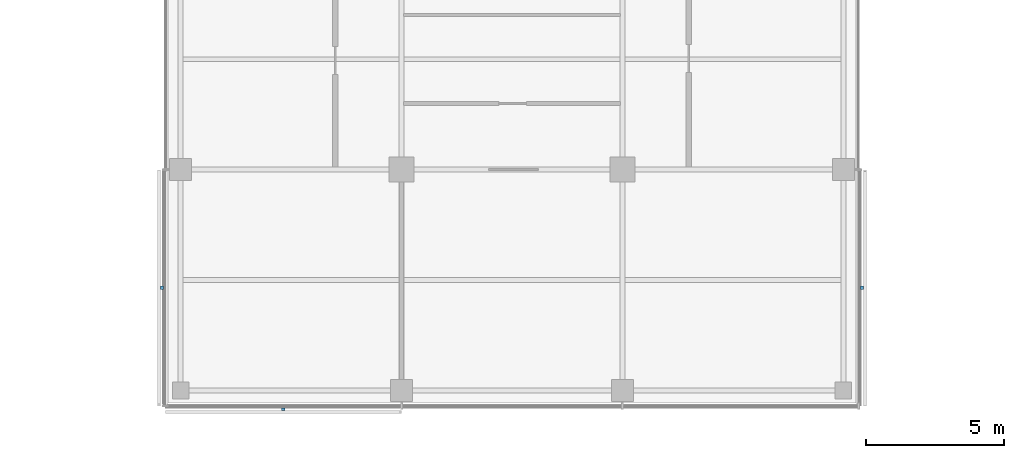
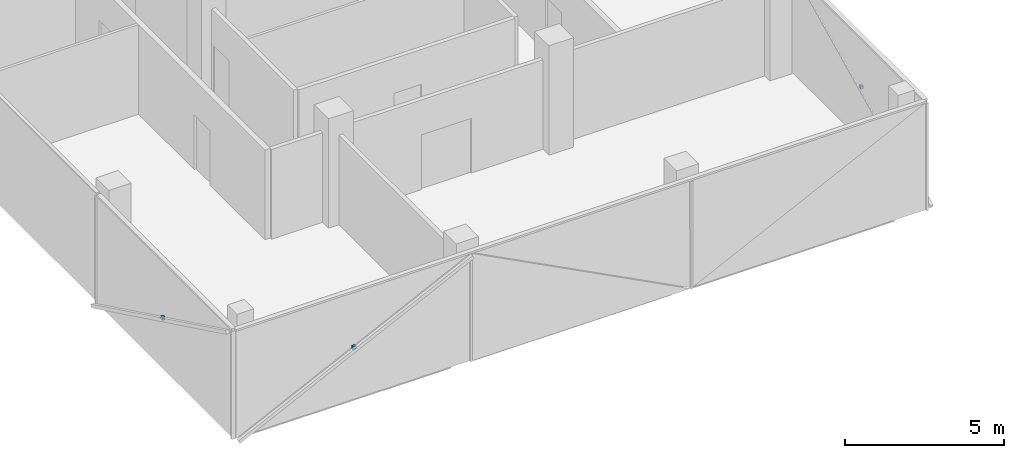
# One storey, part 14 of 16: 3 discrete accessories.
"""IFC4 building model written with IfcOpenShell, lengths in metres."""

from ifc_helpers import new_model, si_unit, direction, frame, origin, origin_2d, place, context, subcontext, project, spatial, rectangle, extrude, material, type_object, element, save


model = new_model("IFC4")

# Units and contexts
model_context = context("Model", 3, precision=1e-05, world=origin(), true_north=direction((0.0, 1.0)))
body_context = subcontext(model_context, "Body", "Model", "MODEL_VIEW")
ifc_project = project(units=[si_unit("LENGTHUNIT", "METRE"), si_unit("AREAUNIT", "SQUARE_METRE"), si_unit("VOLUMEUNIT", "CUBIC_METRE"), si_unit("PLANEANGLEUNIT", "RADIAN"), si_unit("MASSUNIT", "GRAM", prefix="KILO")], contexts=[model_context])

# Site, building, storey
site_placement = place(None, origin())
site = spatial("IfcSite", under=ifc_project, at=site_placement, CompositionType="ELEMENT")
building_placement = place(site_placement, origin())
building = spatial("IfcBuilding", under=site, at=building_placement, Name="Crosswind Convention Tower", CompositionType="ELEMENT")
storey_placement = place(building_placement, frame((0.0, 0.0, 212.5)))
storey = spatial("IfcBuildingStorey", under=building, at=storey_placement, Name="L45", CompositionType="ELEMENT", Elevation=212.5)

# Discrete accessories
ifc_material = material(Name="Stainless steel", Category="steel")
discrete_accessory_type = type_object("IfcDiscreteAccessoryType", Name="BAGUETTE BRACKET BK3", PredefinedType="BRACKET", material=ifc_material)
for number, where, z_axis, x_axis, name in (
    (1, (112.323974609375, 75.719970703125, 1.704833984375), (0.0, 0.0, 1.0), (0.0, -1.0, 0.0), "BK3 baguette bracket"),
    (2, (116.719970703125, 71.323974609375, 1.704833984375), (0.0, 0.0, 1.0), (1.0, 0.0, 0.0), "BK3 baguette bracket"),
    (3, (137.676025390625, 75.719970703125, 1.704833984375), (0.0, 0.0, 1.0), (0.0, 1.0, 0.0), "BK3 baguette bracket"),
):
    element("IfcDiscreteAccessory", number, at=place(storey_placement, frame(where, z_axis=z_axis, x_axis=x_axis)), inside=storey, type_object=discrete_accessory_type, Name=name, PredefinedType="BRACKET", context=body_context, shape_type="SweptSolid", body=[
        extrude(rectangle(XDim=0.1201171875, YDim=0.10009765625, at=origin_2d()), origin(), (0.0, 0.0, 1.0), 0.1201171875),
    ])

save(model, "model.ifc")
